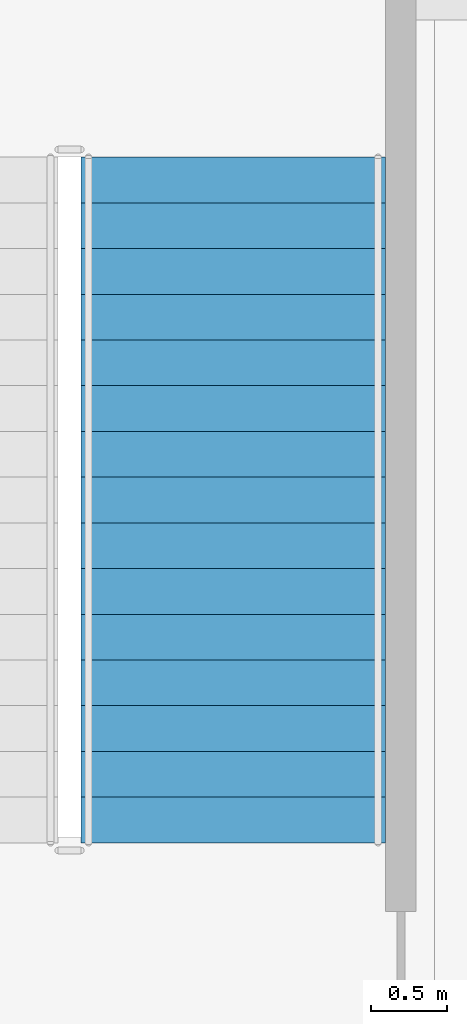
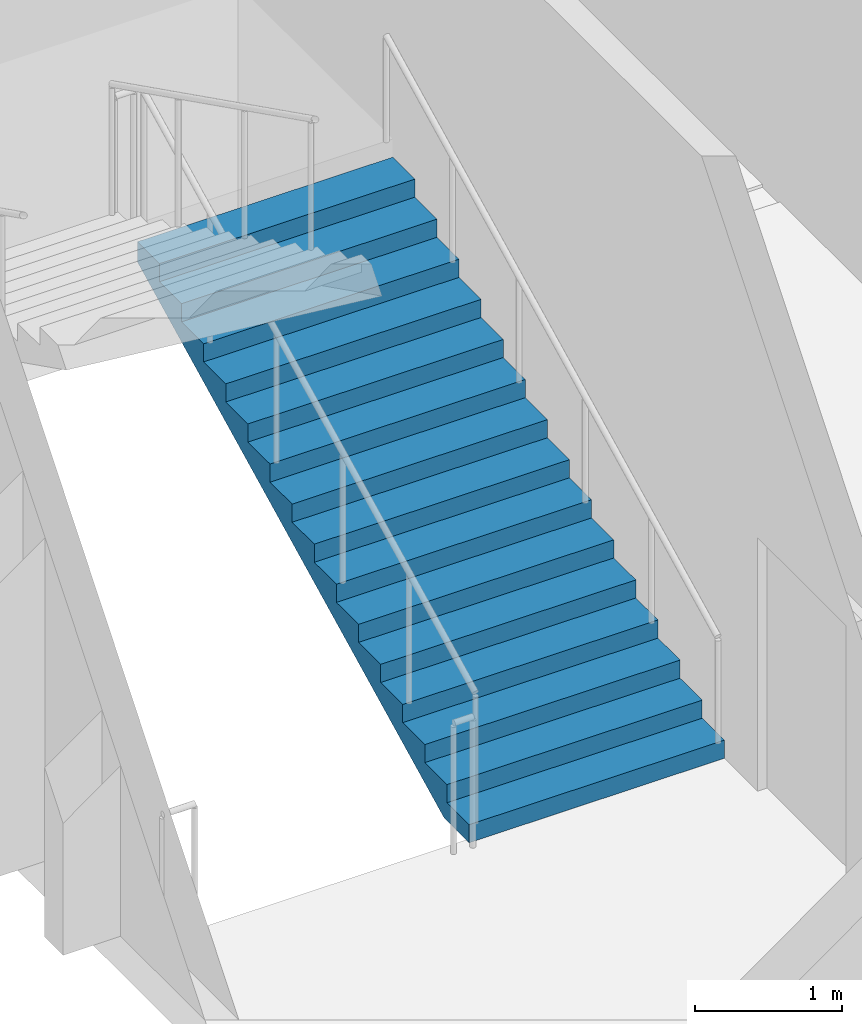
# One storey, part 59 of 91: 1 stair flight, 1 element without a shape of its own.
"""IFC4 building model written with IfcOpenShell, lengths in metres."""

from ifc_helpers import new_model, si_unit, direction, frame, origin, place, context, subcontext, project, spatial, faceted_brep, material, type_object, element, aggregate, save


model = new_model("IFC4")

# Units and contexts
model_context = context("Model", 3, precision=1e-05, world=origin(), true_north=direction((0.0, 1.0)))
body_context = subcontext(model_context, "Body", "Model", "MODEL_VIEW")
ifc_project = project(units=[si_unit("LENGTHUNIT", "METRE"), si_unit("AREAUNIT", "SQUARE_METRE"), si_unit("VOLUMEUNIT", "CUBIC_METRE"), si_unit("PLANEANGLEUNIT", "RADIAN"), si_unit("MASSUNIT", "GRAM", prefix="KILO")], contexts=[model_context])

# Site, building, storey
site_placement = place(None, origin())
site = spatial("IfcSite", under=ifc_project, at=site_placement, CompositionType="ELEMENT")
building_placement = place(site_placement, origin())
building = spatial("IfcBuilding", under=site, at=building_placement, Name="Kiln Court Media Centre", CompositionType="ELEMENT")
storey_placement = place(building_placement, frame((0.0, 0.0, 5.39990234375)))
storey = spatial("IfcBuildingStorey", under=building, at=storey_placement, Name="L01", CompositionType="ELEMENT", Elevation=5.39990234375)

# Stair, stair flight
ifc_material_1 = material(Name="Concrete C40/50", Category="concrete")
stair_type = type_object("IfcStairType", Name="Concrete C40/50 dog-leg stair 2000 wide, 150 riser", PredefinedType="HALF_TURN_STAIR", material=ifc_material_1)
stair_placement = place(storey_placement, origin())
stair = element("IfcStair", 1, at=stair_placement, inside=storey, type_object=stair_type, Name="ST-13 L01", PredefinedType="HALF_TURN_STAIR")
ifc_material_2 = material(Name="Concrete C40/50", Category="concrete")
stair_flight_type = type_object("IfcStairFlightType", Name="Concrete C40/50 stair flight 2000 wide, 150 riser, 300 going", PredefinedType="STRAIGHT", material=ifc_material_2)
stair_flight_placement = place(storey_placement, frame((121.199951171875, 36.39990234375, 0.0), z_axis=(0.0, 0.0, 1.0), x_axis=(0.0, 1.0, 0.0)))
stair_flight = element("IfcStairFlight", 2, at=stair_flight_placement, type_object=stair_flight_type, Name="L01-ST-5012 flight 5024", NumberOfRisers=16, NumberOfTreads=15, PredefinedType="STRAIGHT", RiserHeight=0.15, TreadLength=0.3, context=body_context, shape_type="Brep", body=[
    faceted_brep([(0.335205078125, -1.0, 0.0), (4.5, -1.0, 2.08251953125), (4.5, -1.0, 2.25), (4.199951171875, -1.0, 2.25), (4.199951171875, -1.0, 2.10009765625), (3.89990234375, -1.0, 2.10009765625), (3.89990234375, -1.0, 1.949951171875), (3.60009765625, -1.0, 1.949951171875), (3.60009765625, -1.0, 1.800048828125), (3.300048828125, -1.0, 1.800048828125), (3.300048828125, -1.0, 1.64990234375), (3.0, -1.0, 1.64990234375), (3.0, -1.0, 1.5), (2.699951171875, -1.0, 1.5), (2.699951171875, -1.0, 1.35009765625), (2.39990234375, -1.0, 1.35009765625), (2.39990234375, -1.0, 1.199951171875), (2.10009765625, -1.0, 1.199951171875), (2.10009765625, -1.0, 1.050048828125), (1.800048828125, -1.0, 1.050048828125), (1.800048828125, -1.0, 0.89990234375), (1.5, -1.0, 0.89990234375), (1.5, -1.0, 0.75), (1.199951171875, -1.0, 0.75), (1.199951171875, -1.0, 0.60009765625), (0.89990234375, -1.0, 0.60009765625), (0.89990234375, -1.0, 0.449951171875), (0.60009765625, -1.0, 0.449951171875), (0.60009765625, -1.0, 0.300048828125), (0.300048828125, -1.0, 0.300048828125), (0.300048828125, -1.0, 0.14990234375), (0.0, -1.0, 0.14990234375), (0.0, -1.0, 0.0), (0.0, 1.0, 0.0), (0.0, 1.0, 0.14990234375), (0.300048828125, 1.0, 0.14990234375), (0.300048828125, 1.0, 0.300048828125), (0.60009765625, 1.0, 0.300048828125), (0.60009765625, 1.0, 0.449951171875), (0.89990234375, 1.0, 0.449951171875), (0.89990234375, 1.0, 0.60009765625), (1.199951171875, 1.0, 0.60009765625), (1.199951171875, 1.0, 0.75), (1.5, 1.0, 0.75), (1.5, 1.0, 0.89990234375), (1.800048828125, 1.0, 0.89990234375), (1.800048828125, 1.0, 1.050048828125), (2.10009765625, 1.0, 1.050048828125), (2.10009765625, 1.0, 1.199951171875), (2.39990234375, 1.0, 1.199951171875), (2.39990234375, 1.0, 1.35009765625), (2.699951171875, 1.0, 1.35009765625), (2.699951171875, 1.0, 1.5), (3.0, 1.0, 1.5), (3.0, 1.0, 1.64990234375), (3.300048828125, 1.0, 1.64990234375), (3.300048828125, 1.0, 1.800048828125), (3.60009765625, 1.0, 1.800048828125), (3.60009765625, 1.0, 1.949951171875), (3.89990234375, 1.0, 1.949951171875), (3.89990234375, 1.0, 2.10009765625), (4.199951171875, 1.0, 2.10009765625), (4.199951171875, 1.0, 2.25), (4.5, 1.0, 2.25), (4.5, 1.0, 2.08251953125), (0.335205078125, 1.0, 0.0), (4.5, 0.10009765625, 2.08251953125), (0.335205078125, 0.10009765625, 0.0), (4.5, 0.080078125, 2.08251953125), (0.335205078125, 0.080078125, 0.0), (4.5, 0.06005859375, 2.08251953125), (0.335205078125, 0.06005859375, 0.0), (4.5, 0.0400390625, 2.08251953125), (0.335205078125, 0.0400390625, 0.0), (4.5, 0.02001953125, 2.08251953125), (0.335205078125, 0.02001953125, 0.0), (4.5, 0.0, 2.08251953125), (0.335205078125, 0.0, 0.0), (4.5, -0.02001953125, 2.08251953125), (0.335205078125, -0.02001953125, 0.0), (4.5, -0.0400390625, 2.08251953125), (0.335205078125, -0.0400390625, 0.0), (4.5, -0.06005859375, 2.08251953125), (0.335205078125, -0.06005859375, 0.0), (4.5, -0.080078125, 2.08251953125), (0.335205078125, -0.080078125, 0.0), (4.5, -0.10009765625, 2.08251953125), (0.335205078125, -0.10009765625, 0.0), (4.5, 0.10009765625, 2.25), (4.5, 0.080078125, 2.25), (4.5, 0.06005859375, 2.25), (4.5, 0.0400390625, 2.25), (4.5, 0.02001953125, 2.25), (4.5, 0.0, 2.25), (4.5, -0.02001953125, 2.25), (4.5, -0.0400390625, 2.25), (4.5, -0.06005859375, 2.25), (4.5, -0.080078125, 2.25), (4.5, -0.10009765625, 2.25), (4.199951171875, 0.10009765625, 2.25), (4.199951171875, 0.080078125, 2.25), (4.199951171875, 0.06005859375, 2.25), (4.199951171875, 0.0400390625, 2.25), (4.199951171875, 0.02001953125, 2.25), (4.199951171875, 0.0, 2.25), (4.199951171875, -0.02001953125, 2.25), (4.199951171875, -0.0400390625, 2.25), (4.199951171875, -0.06005859375, 2.25), (4.199951171875, -0.080078125, 2.25), (4.199951171875, -0.10009765625, 2.25), (4.199951171875, 0.10009765625, 2.10009765625), (4.199951171875, 0.080078125, 2.10009765625), (4.199951171875, 0.06005859375, 2.10009765625), (4.199951171875, 0.0400390625, 2.10009765625), (4.199951171875, 0.02001953125, 2.10009765625), (4.199951171875, 0.0, 2.10009765625), (4.199951171875, -0.02001953125, 2.10009765625), (4.199951171875, -0.0400390625, 2.10009765625), (4.199951171875, -0.06005859375, 2.10009765625), (4.199951171875, -0.080078125, 2.10009765625), (4.199951171875, -0.10009765625, 2.10009765625), (3.89990234375, 0.10009765625, 2.10009765625), (3.89990234375, 0.080078125, 2.10009765625), (3.89990234375, 0.06005859375, 2.10009765625), (3.89990234375, 0.0400390625, 2.10009765625), (3.89990234375, 0.02001953125, 2.10009765625), (3.89990234375, 0.0, 2.10009765625), (3.89990234375, -0.02001953125, 2.10009765625), (3.89990234375, -0.0400390625, 2.10009765625), (3.89990234375, -0.06005859375, 2.10009765625), (3.89990234375, -0.080078125, 2.10009765625), (3.89990234375, -0.10009765625, 2.10009765625), (3.89990234375, 0.10009765625, 1.949951171875), (3.89990234375, 0.080078125, 1.949951171875), (3.89990234375, 0.06005859375, 1.949951171875), (3.89990234375, 0.0400390625, 1.949951171875), (3.89990234375, 0.02001953125, 1.949951171875), (3.89990234375, 0.0, 1.949951171875), (3.89990234375, -0.02001953125, 1.949951171875), (3.89990234375, -0.0400390625, 1.949951171875), (3.89990234375, -0.06005859375, 1.949951171875), (3.89990234375, -0.080078125, 1.949951171875), (3.89990234375, -0.10009765625, 1.949951171875), (3.60009765625, 0.10009765625, 1.949951171875), (3.60009765625, 0.080078125, 1.949951171875), (3.60009765625, 0.06005859375, 1.949951171875), (3.60009765625, 0.0400390625, 1.949951171875), (3.60009765625, 0.02001953125, 1.949951171875), (3.60009765625, 0.0, 1.949951171875), (3.60009765625, -0.02001953125, 1.949951171875), (3.60009765625, -0.0400390625, 1.949951171875), (3.60009765625, -0.06005859375, 1.949951171875), (3.60009765625, -0.080078125, 1.949951171875), (3.60009765625, -0.10009765625, 1.949951171875), (3.60009765625, 0.10009765625, 1.800048828125), (3.60009765625, 0.080078125, 1.800048828125), (3.60009765625, 0.06005859375, 1.800048828125), (3.60009765625, 0.0400390625, 1.800048828125), (3.60009765625, 0.02001953125, 1.800048828125), (3.60009765625, 0.0, 1.800048828125), (3.60009765625, -0.02001953125, 1.800048828125), (3.60009765625, -0.0400390625, 1.800048828125), (3.60009765625, -0.06005859375, 1.800048828125), (3.60009765625, -0.080078125, 1.800048828125), (3.60009765625, -0.10009765625, 1.800048828125), (3.300048828125, 0.10009765625, 1.800048828125), (3.300048828125, 0.080078125, 1.800048828125), (3.300048828125, 0.06005859375, 1.800048828125), (3.300048828125, 0.0400390625, 1.800048828125), (3.300048828125, 0.02001953125, 1.800048828125), (3.300048828125, 0.0, 1.800048828125), (3.300048828125, -0.02001953125, 1.800048828125), (3.300048828125, -0.0400390625, 1.800048828125), (3.300048828125, -0.06005859375, 1.800048828125), (3.300048828125, -0.080078125, 1.800048828125), (3.300048828125, -0.10009765625, 1.800048828125), (3.300048828125, 0.10009765625, 1.64990234375), (3.300048828125, 0.080078125, 1.64990234375), (3.300048828125, 0.06005859375, 1.64990234375), (3.300048828125, 0.0400390625, 1.64990234375), (3.300048828125, 0.02001953125, 1.64990234375), (3.300048828125, 0.0, 1.64990234375), (3.300048828125, -0.02001953125, 1.64990234375), (3.300048828125, -0.0400390625, 1.64990234375), (3.300048828125, -0.06005859375, 1.64990234375), (3.300048828125, -0.080078125, 1.64990234375), (3.300048828125, -0.10009765625, 1.64990234375), (3.0, 0.10009765625, 1.64990234375), (3.0, 0.080078125, 1.64990234375), (3.0, 0.06005859375, 1.64990234375), (3.0, 0.0400390625, 1.64990234375), (3.0, 0.02001953125, 1.64990234375), (3.0, 0.0, 1.64990234375), (3.0, -0.02001953125, 1.64990234375), (3.0, -0.0400390625, 1.64990234375), (3.0, -0.06005859375, 1.64990234375), (3.0, -0.080078125, 1.64990234375), (3.0, -0.10009765625, 1.64990234375), (3.0, 0.10009765625, 1.5), (3.0, 0.080078125, 1.5), (3.0, 0.06005859375, 1.5), (3.0, 0.0400390625, 1.5), (3.0, 0.02001953125, 1.5), (3.0, 0.0, 1.5), (3.0, -0.02001953125, 1.5), (3.0, -0.0400390625, 1.5), (3.0, -0.06005859375, 1.5), (3.0, -0.080078125, 1.5), (3.0, -0.10009765625, 1.5), (2.699951171875, 0.10009765625, 1.5), (2.699951171875, 0.080078125, 1.5), (2.699951171875, 0.06005859375, 1.5), (2.699951171875, 0.0400390625, 1.5), (2.699951171875, 0.02001953125, 1.5), (2.699951171875, 0.0, 1.5), (2.699951171875, -0.02001953125, 1.5), (2.699951171875, -0.0400390625, 1.5), (2.699951171875, -0.06005859375, 1.5), (2.699951171875, -0.080078125, 1.5), (2.699951171875, -0.10009765625, 1.5), (2.699951171875, 0.10009765625, 1.35009765625), (2.699951171875, 0.080078125, 1.35009765625), (2.699951171875, 0.06005859375, 1.35009765625), (2.699951171875, 0.0400390625, 1.35009765625), (2.699951171875, 0.02001953125, 1.35009765625), (2.699951171875, 0.0, 1.35009765625), (2.699951171875, -0.02001953125, 1.35009765625), (2.699951171875, -0.0400390625, 1.35009765625), (2.699951171875, -0.06005859375, 1.35009765625), (2.699951171875, -0.080078125, 1.35009765625), (2.699951171875, -0.10009765625, 1.35009765625), (2.39990234375, 0.10009765625, 1.35009765625), (2.39990234375, 0.080078125, 1.35009765625), (2.39990234375, 0.06005859375, 1.35009765625), (2.39990234375, 0.0400390625, 1.35009765625), (2.39990234375, 0.02001953125, 1.35009765625), (2.39990234375, 0.0, 1.35009765625), (2.39990234375, -0.02001953125, 1.35009765625), (2.39990234375, -0.0400390625, 1.35009765625), (2.39990234375, -0.06005859375, 1.35009765625), (2.39990234375, -0.080078125, 1.35009765625), (2.39990234375, -0.10009765625, 1.35009765625), (2.39990234375, 0.10009765625, 1.199951171875), (2.39990234375, 0.080078125, 1.199951171875), (2.39990234375, 0.06005859375, 1.199951171875), (2.39990234375, 0.0400390625, 1.199951171875), (2.39990234375, 0.02001953125, 1.199951171875), (2.39990234375, 0.0, 1.199951171875), (2.39990234375, -0.02001953125, 1.199951171875), (2.39990234375, -0.0400390625, 1.199951171875), (2.39990234375, -0.06005859375, 1.199951171875), (2.39990234375, -0.080078125, 1.199951171875), (2.39990234375, -0.10009765625, 1.199951171875), (2.10009765625, 0.10009765625, 1.199951171875), (2.10009765625, 0.080078125, 1.199951171875), (2.10009765625, 0.06005859375, 1.199951171875), (2.10009765625, 0.0400390625, 1.199951171875), (2.10009765625, 0.02001953125, 1.199951171875), (2.10009765625, 0.0, 1.199951171875), (2.10009765625, -0.02001953125, 1.199951171875), (2.10009765625, -0.0400390625, 1.199951171875), (2.10009765625, -0.06005859375, 1.199951171875), (2.10009765625, -0.080078125, 1.199951171875), (2.10009765625, -0.10009765625, 1.199951171875), (2.10009765625, 0.10009765625, 1.050048828125), (2.10009765625, 0.080078125, 1.050048828125), (2.10009765625, 0.06005859375, 1.050048828125), (2.10009765625, 0.0400390625, 1.050048828125), (2.10009765625, 0.02001953125, 1.050048828125), (2.10009765625, 0.0, 1.050048828125), (2.10009765625, -0.02001953125, 1.050048828125), (2.10009765625, -0.0400390625, 1.050048828125), (2.10009765625, -0.06005859375, 1.050048828125), (2.10009765625, -0.080078125, 1.050048828125), (2.10009765625, -0.10009765625, 1.050048828125), (1.800048828125, 0.10009765625, 1.050048828125), (1.800048828125, 0.080078125, 1.050048828125), (1.800048828125, 0.06005859375, 1.050048828125), (1.800048828125, 0.0400390625, 1.050048828125), (1.800048828125, 0.02001953125, 1.050048828125), (1.800048828125, 0.0, 1.050048828125), (1.800048828125, -0.02001953125, 1.050048828125), (1.800048828125, -0.0400390625, 1.050048828125), (1.800048828125, -0.06005859375, 1.050048828125), (1.800048828125, -0.080078125, 1.050048828125), (1.800048828125, -0.10009765625, 1.050048828125), (1.800048828125, 0.10009765625, 0.89990234375), (1.800048828125, 0.080078125, 0.89990234375), (1.800048828125, 0.06005859375, 0.89990234375), (1.800048828125, 0.0400390625, 0.89990234375), (1.800048828125, 0.02001953125, 0.89990234375), (1.800048828125, 0.0, 0.89990234375), (1.800048828125, -0.02001953125, 0.89990234375), (1.800048828125, -0.0400390625, 0.89990234375), (1.800048828125, -0.06005859375, 0.89990234375), (1.800048828125, -0.080078125, 0.89990234375), (1.800048828125, -0.10009765625, 0.89990234375), (1.5, 0.10009765625, 0.89990234375), (1.5, 0.080078125, 0.89990234375), (1.5, 0.06005859375, 0.89990234375), (1.5, 0.0400390625, 0.89990234375), (1.5, 0.02001953125, 0.89990234375), (1.5, 0.0, 0.89990234375), (1.5, -0.02001953125, 0.89990234375), (1.5, -0.0400390625, 0.89990234375), (1.5, -0.06005859375, 0.89990234375), (1.5, -0.080078125, 0.89990234375), (1.5, -0.10009765625, 0.89990234375), (1.5, 0.10009765625, 0.75), (1.5, 0.080078125, 0.75), (1.5, 0.06005859375, 0.75), (1.5, 0.0400390625, 0.75), (1.5, 0.02001953125, 0.75), (1.5, 0.0, 0.75), (1.5, -0.02001953125, 0.75), (1.5, -0.0400390625, 0.75), (1.5, -0.06005859375, 0.75), (1.5, -0.080078125, 0.75), (1.5, -0.10009765625, 0.75), (1.199951171875, 0.10009765625, 0.75), (1.199951171875, 0.080078125, 0.75), (1.199951171875, 0.06005859375, 0.75), (1.199951171875, 0.0400390625, 0.75), (1.199951171875, 0.02001953125, 0.75), (1.199951171875, 0.0, 0.75), (1.199951171875, -0.02001953125, 0.75), (1.199951171875, -0.0400390625, 0.75), (1.199951171875, -0.06005859375, 0.75), (1.199951171875, -0.080078125, 0.75), (1.199951171875, -0.10009765625, 0.75), (1.199951171875, 0.10009765625, 0.60009765625), (1.199951171875, 0.080078125, 0.60009765625), (1.199951171875, 0.06005859375, 0.60009765625), (1.199951171875, 0.0400390625, 0.60009765625), (1.199951171875, 0.02001953125, 0.60009765625), (1.199951171875, 0.0, 0.60009765625), (1.199951171875, -0.02001953125, 0.60009765625), (1.199951171875, -0.0400390625, 0.60009765625), (1.199951171875, -0.06005859375, 0.60009765625), (1.199951171875, -0.080078125, 0.60009765625), (1.199951171875, -0.10009765625, 0.60009765625), (0.89990234375, 0.10009765625, 0.60009765625), (0.89990234375, 0.080078125, 0.60009765625), (0.89990234375, 0.06005859375, 0.60009765625), (0.89990234375, 0.0400390625, 0.60009765625), (0.89990234375, 0.02001953125, 0.60009765625), (0.89990234375, 0.0, 0.60009765625), (0.89990234375, -0.02001953125, 0.60009765625), (0.89990234375, -0.0400390625, 0.60009765625), (0.89990234375, -0.06005859375, 0.60009765625), (0.89990234375, -0.080078125, 0.60009765625), (0.89990234375, -0.10009765625, 0.60009765625), (0.89990234375, 0.10009765625, 0.449951171875), (0.89990234375, 0.080078125, 0.449951171875), (0.89990234375, 0.06005859375, 0.449951171875), (0.89990234375, 0.0400390625, 0.449951171875), (0.89990234375, 0.02001953125, 0.449951171875), (0.89990234375, 0.0, 0.449951171875), (0.89990234375, -0.02001953125, 0.449951171875), (0.89990234375, -0.0400390625, 0.449951171875), (0.89990234375, -0.06005859375, 0.449951171875), (0.89990234375, -0.080078125, 0.449951171875), (0.89990234375, -0.10009765625, 0.449951171875), (0.60009765625, 0.10009765625, 0.449951171875), (0.60009765625, 0.080078125, 0.449951171875), (0.60009765625, 0.06005859375, 0.449951171875), (0.60009765625, 0.0400390625, 0.449951171875), (0.60009765625, 0.02001953125, 0.449951171875), (0.60009765625, 0.0, 0.449951171875), (0.60009765625, -0.02001953125, 0.449951171875), (0.60009765625, -0.0400390625, 0.449951171875), (0.60009765625, -0.06005859375, 0.449951171875), (0.60009765625, -0.080078125, 0.449951171875), (0.60009765625, -0.10009765625, 0.449951171875), (0.60009765625, 0.10009765625, 0.300048828125), (0.60009765625, 0.080078125, 0.300048828125), (0.60009765625, 0.06005859375, 0.300048828125), (0.60009765625, 0.0400390625, 0.300048828125), (0.60009765625, 0.02001953125, 0.300048828125), (0.60009765625, 0.0, 0.300048828125), (0.60009765625, -0.02001953125, 0.300048828125), (0.60009765625, -0.0400390625, 0.300048828125), (0.60009765625, -0.06005859375, 0.300048828125), (0.60009765625, -0.080078125, 0.300048828125), (0.60009765625, -0.10009765625, 0.300048828125), (0.300048828125, 0.10009765625, 0.300048828125), (0.300048828125, 0.080078125, 0.300048828125), (0.300048828125, 0.06005859375, 0.300048828125), (0.300048828125, 0.0400390625, 0.300048828125), (0.300048828125, 0.02001953125, 0.300048828125), (0.300048828125, 0.0, 0.300048828125), (0.300048828125, -0.02001953125, 0.300048828125), (0.300048828125, -0.0400390625, 0.300048828125), (0.300048828125, -0.06005859375, 0.300048828125), (0.300048828125, -0.080078125, 0.300048828125), (0.300048828125, -0.10009765625, 0.300048828125), (0.300048828125, 0.10009765625, 0.14990234375), (0.300048828125, 0.080078125, 0.14990234375), (0.300048828125, 0.06005859375, 0.14990234375), (0.300048828125, 0.0400390625, 0.14990234375), (0.300048828125, 0.02001953125, 0.14990234375), (0.300048828125, 0.0, 0.14990234375), (0.300048828125, -0.02001953125, 0.14990234375), (0.300048828125, -0.0400390625, 0.14990234375), (0.300048828125, -0.06005859375, 0.14990234375), (0.300048828125, -0.080078125, 0.14990234375), (0.300048828125, -0.10009765625, 0.14990234375), (0.0, 0.10009765625, 0.14990234375), (0.0, 0.080078125, 0.14990234375), (0.0, 0.06005859375, 0.14990234375), (0.0, 0.0400390625, 0.14990234375), (0.0, 0.02001953125, 0.14990234375), (0.0, 0.0, 0.14990234375), (0.0, -0.02001953125, 0.14990234375), (0.0, -0.0400390625, 0.14990234375), (0.0, -0.06005859375, 0.14990234375), (0.0, -0.080078125, 0.14990234375), (0.0, -0.10009765625, 0.14990234375), (0.0, 0.10009765625, 0.0), (0.0, 0.080078125, 0.0), (0.0, 0.06005859375, 0.0), (0.0, 0.0400390625, 0.0), (0.0, 0.02001953125, 0.0), (0.0, 0.0, 0.0), (0.0, -0.02001953125, 0.0), (0.0, -0.0400390625, 0.0), (0.0, -0.06005859375, 0.0), (0.0, -0.080078125, 0.0), (0.0, -0.10009765625, 0.0)], [[[0, 1, 2, 3, 4, 5, 6, 7, 8, 9, 10, 11, 12, 13, 14, 15, 16, 17, 18, 19, 20, 21, 22, 23, 24, 25, 26, 27, 28, 29, 30, 31, 32]], [[33, 34, 35, 36, 37, 38, 39, 40, 41, 42, 43, 44, 45, 46, 47, 48, 49, 50, 51, 52, 53, 54, 55, 56, 57, 58, 59, 60, 61, 62, 63, 64, 65]], [[65, 64, 66, 67]], [[67, 66, 68, 69]], [[69, 68, 70, 71]], [[71, 70, 72, 73]], [[73, 72, 74, 75]], [[75, 74, 76, 77]], [[77, 76, 78, 79]], [[79, 78, 80, 81]], [[81, 80, 82, 83]], [[83, 82, 84, 85]], [[85, 84, 86, 87]], [[87, 86, 1, 0]], [[64, 63, 88, 66]], [[66, 88, 89, 68]], [[68, 89, 90, 70]], [[70, 90, 91, 72]], [[72, 91, 92, 74]], [[74, 92, 93, 76]], [[76, 93, 94, 78]], [[78, 94, 95, 80]], [[80, 95, 96, 82]], [[82, 96, 97, 84]], [[84, 97, 98, 86]], [[86, 98, 2, 1]], [[63, 62, 99, 88]], [[88, 99, 100, 89]], [[89, 100, 101, 90]], [[90, 101, 102, 91]], [[91, 102, 103, 92]], [[92, 103, 104, 93]], [[93, 104, 105, 94]], [[94, 105, 106, 95]], [[95, 106, 107, 96]], [[96, 107, 108, 97]], [[97, 108, 109, 98]], [[98, 109, 3, 2]], [[62, 61, 110, 99]], [[99, 110, 111, 100]], [[100, 111, 112, 101]], [[101, 112, 113, 102]], [[102, 113, 114, 103]], [[103, 114, 115, 104]], [[104, 115, 116, 105]], [[105, 116, 117, 106]], [[106, 117, 118, 107]], [[107, 118, 119, 108]], [[108, 119, 120, 109]], [[109, 120, 4, 3]], [[61, 60, 121, 110]], [[110, 121, 122, 111]], [[111, 122, 123, 112]], [[112, 123, 124, 113]], [[113, 124, 125, 114]], [[114, 125, 126, 115]], [[115, 126, 127, 116]], [[116, 127, 128, 117]], [[117, 128, 129, 118]], [[118, 129, 130, 119]], [[119, 130, 131, 120]], [[120, 131, 5, 4]], [[60, 59, 132, 121]], [[121, 132, 133, 122]], [[122, 133, 134, 123]], [[123, 134, 135, 124]], [[124, 135, 136, 125]], [[125, 136, 137, 126]], [[126, 137, 138, 127]], [[127, 138, 139, 128]], [[128, 139, 140, 129]], [[129, 140, 141, 130]], [[130, 141, 142, 131]], [[131, 142, 6, 5]], [[59, 58, 143, 132]], [[132, 143, 144, 133]], [[133, 144, 145, 134]], [[134, 145, 146, 135]], [[135, 146, 147, 136]], [[136, 147, 148, 137]], [[137, 148, 149, 138]], [[138, 149, 150, 139]], [[139, 150, 151, 140]], [[140, 151, 152, 141]], [[141, 152, 153, 142]], [[142, 153, 7, 6]], [[58, 57, 154, 143]], [[143, 154, 155, 144]], [[144, 155, 156, 145]], [[145, 156, 157, 146]], [[146, 157, 158, 147]], [[147, 158, 159, 148]], [[148, 159, 160, 149]], [[149, 160, 161, 150]], [[150, 161, 162, 151]], [[151, 162, 163, 152]], [[152, 163, 164, 153]], [[153, 164, 8, 7]], [[57, 56, 165, 154]], [[154, 165, 166, 155]], [[155, 166, 167, 156]], [[156, 167, 168, 157]], [[157, 168, 169, 158]], [[158, 169, 170, 159]], [[159, 170, 171, 160]], [[160, 171, 172, 161]], [[161, 172, 173, 162]], [[162, 173, 174, 163]], [[163, 174, 175, 164]], [[164, 175, 9, 8]], [[56, 55, 176, 165]], [[165, 176, 177, 166]], [[166, 177, 178, 167]], [[167, 178, 179, 168]], [[168, 179, 180, 169]], [[169, 180, 181, 170]], [[170, 181, 182, 171]], [[171, 182, 183, 172]], [[172, 183, 184, 173]], [[173, 184, 185, 174]], [[174, 185, 186, 175]], [[175, 186, 10, 9]], [[55, 54, 187, 176]], [[176, 187, 188, 177]], [[177, 188, 189, 178]], [[178, 189, 190, 179]], [[179, 190, 191, 180]], [[180, 191, 192, 181]], [[181, 192, 193, 182]], [[182, 193, 194, 183]], [[183, 194, 195, 184]], [[184, 195, 196, 185]], [[185, 196, 197, 186]], [[186, 197, 11, 10]], [[54, 53, 198, 187]], [[187, 198, 199, 188]], [[188, 199, 200, 189]], [[189, 200, 201, 190]], [[190, 201, 202, 191]], [[191, 202, 203, 192]], [[192, 203, 204, 193]], [[193, 204, 205, 194]], [[194, 205, 206, 195]], [[195, 206, 207, 196]], [[196, 207, 208, 197]], [[197, 208, 12, 11]], [[53, 52, 209, 198]], [[198, 209, 210, 199]], [[199, 210, 211, 200]], [[200, 211, 212, 201]], [[201, 212, 213, 202]], [[202, 213, 214, 203]], [[203, 214, 215, 204]], [[204, 215, 216, 205]], [[205, 216, 217, 206]], [[206, 217, 218, 207]], [[207, 218, 219, 208]], [[208, 219, 13, 12]], [[52, 51, 220, 209]], [[209, 220, 221, 210]], [[210, 221, 222, 211]], [[211, 222, 223, 212]], [[212, 223, 224, 213]], [[213, 224, 225, 214]], [[214, 225, 226, 215]], [[215, 226, 227, 216]], [[216, 227, 228, 217]], [[217, 228, 229, 218]], [[218, 229, 230, 219]], [[219, 230, 14, 13]], [[51, 50, 231, 220]], [[220, 231, 232, 221]], [[221, 232, 233, 222]], [[222, 233, 234, 223]], [[223, 234, 235, 224]], [[224, 235, 236, 225]], [[225, 236, 237, 226]], [[226, 237, 238, 227]], [[227, 238, 239, 228]], [[228, 239, 240, 229]], [[229, 240, 241, 230]], [[230, 241, 15, 14]], [[50, 49, 242, 231]], [[231, 242, 243, 232]], [[232, 243, 244, 233]], [[233, 244, 245, 234]], [[234, 245, 246, 235]], [[235, 246, 247, 236]], [[236, 247, 248, 237]], [[237, 248, 249, 238]], [[238, 249, 250, 239]], [[239, 250, 251, 240]], [[240, 251, 252, 241]], [[241, 252, 16, 15]], [[49, 48, 253, 242]], [[242, 253, 254, 243]], [[243, 254, 255, 244]], [[244, 255, 256, 245]], [[245, 256, 257, 246]], [[246, 257, 258, 247]], [[247, 258, 259, 248]], [[248, 259, 260, 249]], [[249, 260, 261, 250]], [[250, 261, 262, 251]], [[251, 262, 263, 252]], [[252, 263, 17, 16]], [[48, 47, 264, 253]], [[253, 264, 265, 254]], [[254, 265, 266, 255]], [[255, 266, 267, 256]], [[256, 267, 268, 257]], [[257, 268, 269, 258]], [[258, 269, 270, 259]], [[259, 270, 271, 260]], [[260, 271, 272, 261]], [[261, 272, 273, 262]], [[262, 273, 274, 263]], [[263, 274, 18, 17]], [[47, 46, 275, 264]], [[264, 275, 276, 265]], [[265, 276, 277, 266]], [[266, 277, 278, 267]], [[267, 278, 279, 268]], [[268, 279, 280, 269]], [[269, 280, 281, 270]], [[270, 281, 282, 271]], [[271, 282, 283, 272]], [[272, 283, 284, 273]], [[273, 284, 285, 274]], [[274, 285, 19, 18]], [[46, 45, 286, 275]], [[275, 286, 287, 276]], [[276, 287, 288, 277]], [[277, 288, 289, 278]], [[278, 289, 290, 279]], [[279, 290, 291, 280]], [[280, 291, 292, 281]], [[281, 292, 293, 282]], [[282, 293, 294, 283]], [[283, 294, 295, 284]], [[284, 295, 296, 285]], [[285, 296, 20, 19]], [[45, 44, 297, 286]], [[286, 297, 298, 287]], [[287, 298, 299, 288]], [[288, 299, 300, 289]], [[289, 300, 301, 290]], [[290, 301, 302, 291]], [[291, 302, 303, 292]], [[292, 303, 304, 293]], [[293, 304, 305, 294]], [[294, 305, 306, 295]], [[295, 306, 307, 296]], [[296, 307, 21, 20]], [[44, 43, 308, 297]], [[297, 308, 309, 298]], [[298, 309, 310, 299]], [[299, 310, 311, 300]], [[300, 311, 312, 301]], [[301, 312, 313, 302]], [[302, 313, 314, 303]], [[303, 314, 315, 304]], [[304, 315, 316, 305]], [[305, 316, 317, 306]], [[306, 317, 318, 307]], [[307, 318, 22, 21]], [[43, 42, 319, 308]], [[308, 319, 320, 309]], [[309, 320, 321, 310]], [[310, 321, 322, 311]], [[311, 322, 323, 312]], [[312, 323, 324, 313]], [[313, 324, 325, 314]], [[314, 325, 326, 315]], [[315, 326, 327, 316]], [[316, 327, 328, 317]], [[317, 328, 329, 318]], [[318, 329, 23, 22]], [[42, 41, 330, 319]], [[319, 330, 331, 320]], [[320, 331, 332, 321]], [[321, 332, 333, 322]], [[322, 333, 334, 323]], [[323, 334, 335, 324]], [[324, 335, 336, 325]], [[325, 336, 337, 326]], [[326, 337, 338, 327]], [[327, 338, 339, 328]], [[328, 339, 340, 329]], [[329, 340, 24, 23]], [[41, 40, 341, 330]], [[330, 341, 342, 331]], [[331, 342, 343, 332]], [[332, 343, 344, 333]], [[333, 344, 345, 334]], [[334, 345, 346, 335]], [[335, 346, 347, 336]], [[336, 347, 348, 337]], [[337, 348, 349, 338]], [[338, 349, 350, 339]], [[339, 350, 351, 340]], [[340, 351, 25, 24]], [[40, 39, 352, 341]], [[341, 352, 353, 342]], [[342, 353, 354, 343]], [[343, 354, 355, 344]], [[344, 355, 356, 345]], [[345, 356, 357, 346]], [[346, 357, 358, 347]], [[347, 358, 359, 348]], [[348, 359, 360, 349]], [[349, 360, 361, 350]], [[350, 361, 362, 351]], [[351, 362, 26, 25]], [[39, 38, 363, 352]], [[352, 363, 364, 353]], [[353, 364, 365, 354]], [[354, 365, 366, 355]], [[355, 366, 367, 356]], [[356, 367, 368, 357]], [[357, 368, 369, 358]], [[358, 369, 370, 359]], [[359, 370, 371, 360]], [[360, 371, 372, 361]], [[361, 372, 373, 362]], [[362, 373, 27, 26]], [[38, 37, 374, 363]], [[363, 374, 375, 364]], [[364, 375, 376, 365]], [[365, 376, 377, 366]], [[366, 377, 378, 367]], [[367, 378, 379, 368]], [[368, 379, 380, 369]], [[369, 380, 381, 370]], [[370, 381, 382, 371]], [[371, 382, 383, 372]], [[372, 383, 384, 373]], [[373, 384, 28, 27]], [[37, 36, 385, 374]], [[374, 385, 386, 375]], [[375, 386, 387, 376]], [[376, 387, 388, 377]], [[377, 388, 389, 378]], [[378, 389, 390, 379]], [[379, 390, 391, 380]], [[380, 391, 392, 381]], [[381, 392, 393, 382]], [[382, 393, 394, 383]], [[383, 394, 395, 384]], [[384, 395, 29, 28]], [[36, 35, 396, 385]], [[385, 396, 397, 386]], [[386, 397, 398, 387]], [[387, 398, 399, 388]], [[388, 399, 400, 389]], [[389, 400, 401, 390]], [[390, 401, 402, 391]], [[391, 402, 403, 392]], [[392, 403, 404, 393]], [[393, 404, 405, 394]], [[394, 405, 406, 395]], [[395, 406, 30, 29]], [[35, 34, 407, 396]], [[396, 407, 408, 397]], [[397, 408, 409, 398]], [[398, 409, 410, 399]], [[399, 410, 411, 400]], [[400, 411, 412, 401]], [[401, 412, 413, 402]], [[402, 413, 414, 403]], [[403, 414, 415, 404]], [[404, 415, 416, 405]], [[405, 416, 417, 406]], [[406, 417, 31, 30]], [[34, 33, 418, 407]], [[407, 418, 419, 408]], [[408, 419, 420, 409]], [[409, 420, 421, 410]], [[410, 421, 422, 411]], [[411, 422, 423, 412]], [[412, 423, 424, 413]], [[413, 424, 425, 414]], [[414, 425, 426, 415]], [[415, 426, 427, 416]], [[416, 427, 428, 417]], [[417, 428, 32, 31]], [[33, 65, 67, 418]], [[418, 67, 69, 419]], [[419, 69, 71, 420]], [[420, 71, 73, 421]], [[421, 73, 75, 422]], [[422, 75, 77, 423]], [[423, 77, 79, 424]], [[424, 79, 81, 425]], [[425, 81, 83, 426]], [[426, 83, 85, 427]], [[427, 85, 87, 428]], [[428, 87, 0, 32]]]),
])
aggregate(stair, [stair_flight])

save(model, "model.ifc")
